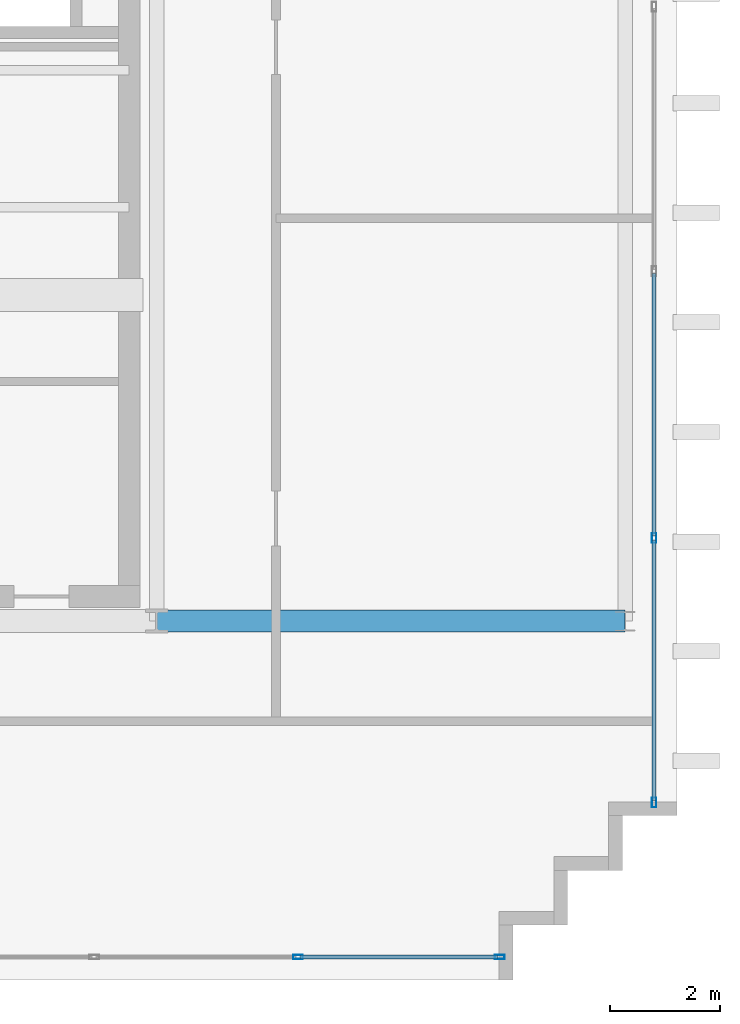
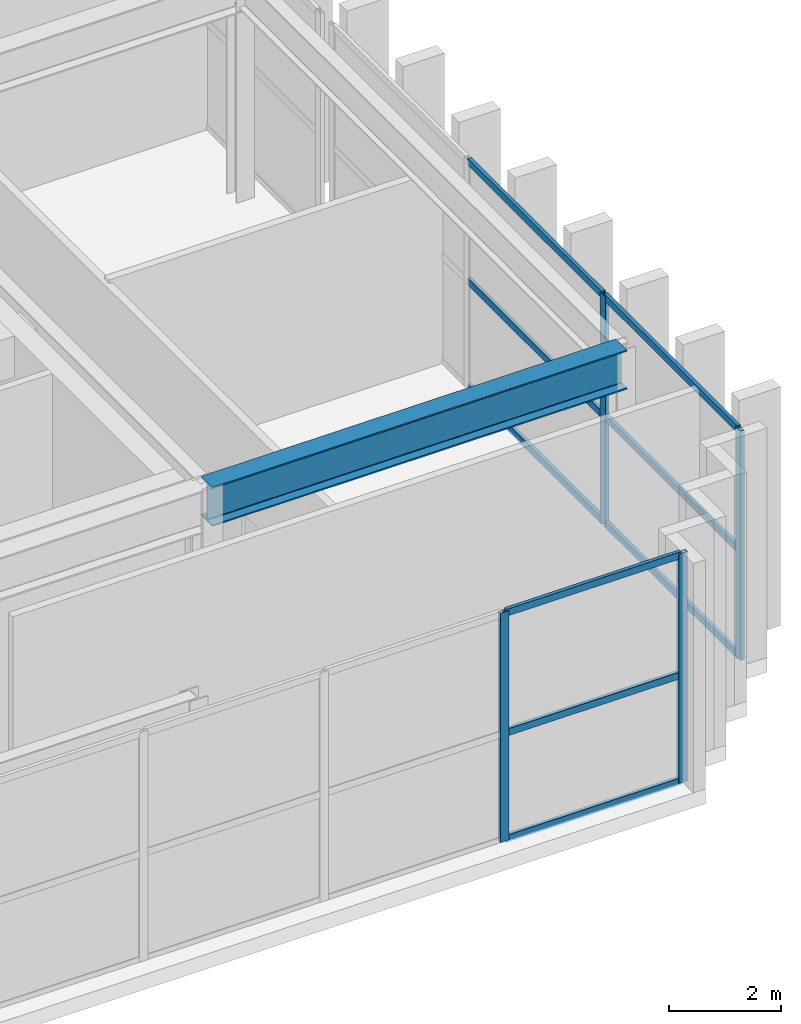
# One storey, part 4 of 14: 13 members, 1 beam, 2 elements without a shape of their own.
"""IFC4 building model written with IfcOpenShell, lengths in metres."""

from ifc_helpers import new_model, si_unit, direction, frame, origin, origin_2d, place, context, subcontext, project, spatial, hollow_rectangle, i_section, extrude, source, transform, mapped, material, layer, layer_set, material_profile, profile_set, type_object, element, aggregate, save


model = new_model("IFC4")

# Units and contexts
model_context = context("Model", 3, precision=1e-05, world=origin(), true_north=direction((0.0, 1.0)))
body_context = subcontext(model_context, "Body", "Model", "MODEL_VIEW")
ifc_project = project(units=[si_unit("LENGTHUNIT", "METRE"), si_unit("AREAUNIT", "SQUARE_METRE"), si_unit("VOLUMEUNIT", "CUBIC_METRE"), si_unit("PLANEANGLEUNIT", "RADIAN"), si_unit("MASSUNIT", "GRAM", prefix="KILO")], contexts=[model_context])

# Site, building, storey
site_placement = place(None, origin())
site = spatial("IfcSite", under=ifc_project, at=site_placement, CompositionType="ELEMENT")
building_placement = place(site_placement, origin())
building = spatial("IfcBuilding", under=site, at=building_placement, Name="Ocotamira Hotel", CompositionType="ELEMENT")
storey_placement = place(building_placement, frame((0.0, 0.0, 309.60009765625)))
storey = spatial("IfcBuildingStorey", under=building, at=storey_placement, Name="L79", CompositionType="ELEMENT", Elevation=309.60009765625)

# Beam
ifc_material_1 = material(Name="Steel ASTM A992 Grade 50", Category="steel")
ifc_material_profile_1 = material_profile(ifc_material_1, i_section(OverallWidth=0.39990234375, OverallDepth=0.85595703125, WebThickness=0.018310546875, FlangeThickness=0.029296875, FilletRadius=0.02001953125, at=origin_2d()), Name="W33X201")
ifc_profile_set_1 = profile_set([ifc_material_profile_1], Name="Steel ASTM A992 Grade 50")
beam_type = type_object("IfcBeamType", Name="BM-GIRD-W33X201", PredefinedType="BEAM", material=ifc_profile_set_1)
shared_shape_1 = source(origin(), body_context, "Body", "SweptSolid", [
    extrude(i_section(OverallWidth=0.39990234375, OverallDepth=0.85595703125, WebThickness=0.018310546875, FlangeThickness=0.029296875, FilletRadius=0.02001953125, at=origin_2d()), origin(), (0.0, 0.0, 1.0), 8.550048828125),
])
beam_placement = place(storey_placement, frame((23.5, 14.550048828125, 4.572021484375), z_axis=(1.0, 0.0, 0.0), x_axis=(0.0, 1.0, 0.0)))
element("IfcBeam", 1, at=beam_placement, inside=storey, type_object=beam_type, Name="L79 Girder Y14.55 X23.5-32.05", PredefinedType="BEAM", context=body_context, shape_type="MappedRepresentation", body=[
    mapped(shared_shape_1, transform((0.0, 0.0, 0.0), scale=1.0)),
])

# Curtain wall, members
ifc_material_2 = material(Name="Anodised pale-metal aluminium and solar glass", Category="aluminium")
ifc_layer = layer(ifc_material_2, 0.2099609375)
ifc_layer_set = layer_set([ifc_layer], Name="Anodised pale-metal aluminium and solar glass")
curtain_wall_type = type_object("IfcCurtainWallType", Name="CW-SYS7-PEAK", PredefinedType="NOTDEFINED", material=ifc_layer_set)
curtain_wall_1_placement = place(storey_placement, origin())
curtain_wall_1 = element("IfcCurtainWall", 2, at=curtain_wall_1_placement, inside=storey, type_object=curtain_wall_type, Name="L79 Curtain Wall CW-7 CW-L79-S1", PredefinedType="NOTDEFINED")
ifc_material_3 = material(Name="Anodised pale-metal aluminium 6063-T6", Category="aluminium")
ifc_material_profile_2 = material_profile(ifc_material_3, hollow_rectangle(XDim=0.074951171875, YDim=0.14990234375, WallThickness=0.006103515625, at=origin_2d()), Name="HSS150X75X6")
ifc_profile_set_2 = profile_set([ifc_material_profile_2], Name="Anodised pale-metal aluminium 6063-T6")
member_type_1 = type_object("IfcMemberType", Name="CWT-150X75", PredefinedType="USERDEFINED", material=ifc_profile_set_2)
shared_shape_2 = source(origin(), body_context, "Body", "SweptSolid", [
    extrude(hollow_rectangle(XDim=0.074951171875, YDim=0.14990234375, WallThickness=0.006103515625, at=origin_2d()), origin(), (0.0, 0.0, 1.0), 3.599853515625),
])
member_1_placement = place(storey_placement, frame((26.1201171875, 8.419921875, 0.037353515625), z_axis=(1.0, 0.0, 0.0), x_axis=(0.0, 1.0, 0.0)))
member_1 = element("IfcMember", 3, at=member_1_placement, type_object=member_type_1, Name="CW-7 transom 5.1", ObjectType="TRANSOM", PredefinedType="USERDEFINED", context=body_context, shape_type="MappedRepresentation", body=[
    mapped(shared_shape_2, transform((0.0, 0.0, 0.0), scale=1.0)),
])
member_2_placement = place(storey_placement, frame((26.1201171875, 8.419921875, 2.349853515625), z_axis=(1.0, 0.0, 0.0), x_axis=(0.0, 1.0, 0.0)))
member_2 = element("IfcMember", 4, at=member_2_placement, type_object=member_type_1, Name="CW-7 transom 5.2", ObjectType="TRANSOM", PredefinedType="USERDEFINED", context=body_context, shape_type="MappedRepresentation", body=[
    mapped(shared_shape_2, transform((0.0, 0.0, 0.0), scale=1.0)),
])
member_3_placement = place(storey_placement, frame((26.1201171875, 8.419921875, 4.96240234375), z_axis=(1.0, 0.0, 0.0), x_axis=(0.0, 1.0, 0.0)))
member_3 = element("IfcMember", 5, at=member_3_placement, type_object=member_type_1, Name="CW-7 transom 5.3", ObjectType="TRANSOM", PredefinedType="USERDEFINED", context=body_context, shape_type="MappedRepresentation", body=[
    mapped(shared_shape_2, transform((0.0, 0.0, 0.0), scale=1.0)),
])

curtain_wall_2_placement = place(storey_placement, origin())
curtain_wall_2 = element("IfcCurtainWall", 6, at=curtain_wall_2_placement, inside=storey, type_object=curtain_wall_type, Name="L79 Curtain Wall CW-7 CW-L79-E1", PredefinedType="NOTDEFINED")
shared_shape_3 = source(origin(), body_context, "Body", "SweptSolid", [
    extrude(hollow_rectangle(XDim=0.074951171875, YDim=0.14990234375, WallThickness=0.006103515625, at=origin_2d()), origin(), (0.0, 0.0, 1.0), 4.74658203125),
])
member_4_placement = place(storey_placement, frame((32.580078125, 11.280029296875, 0.037353515625), z_axis=(0.0, 1.0, 0.0), x_axis=(-1.0, 0.0, 0.0)))
member_4 = element("IfcMember", 7, at=member_4_placement, type_object=member_type_1, Name="CW-7 transom 1.1", ObjectType="TRANSOM", PredefinedType="USERDEFINED", context=body_context, shape_type="MappedRepresentation", body=[
    mapped(shared_shape_3, transform((0.0, 0.0, 0.0), scale=1.0)),
])
member_5_placement = place(storey_placement, frame((32.580078125, 11.280029296875, 2.349853515625), z_axis=(0.0, 1.0, 0.0), x_axis=(-1.0, 0.0, 0.0)))
member_5 = element("IfcMember", 8, at=member_5_placement, type_object=member_type_1, Name="CW-7 transom 1.2", ObjectType="TRANSOM", PredefinedType="USERDEFINED", context=body_context, shape_type="MappedRepresentation", body=[
    mapped(shared_shape_3, transform((0.0, 0.0, 0.0), scale=1.0)),
])
member_6_placement = place(storey_placement, frame((32.580078125, 11.280029296875, 4.96240234375), z_axis=(0.0, 1.0, 0.0), x_axis=(-1.0, 0.0, 0.0)))
member_6 = element("IfcMember", 9, at=member_6_placement, type_object=member_type_1, Name="CW-7 transom 1.3", ObjectType="TRANSOM", PredefinedType="USERDEFINED", context=body_context, shape_type="MappedRepresentation", body=[
    mapped(shared_shape_3, transform((0.0, 0.0, 0.0), scale=1.0)),
])
shared_shape_4 = source(origin(), body_context, "Body", "SweptSolid", [
    extrude(hollow_rectangle(XDim=0.074951171875, YDim=0.14990234375, WallThickness=0.006103515625, at=origin_2d()), origin(), (0.0, 0.0, 1.0), 4.78662109375),
])
member_7_placement = place(storey_placement, frame((32.580078125, 16.106689453125, 0.037353515625), z_axis=(0.0, 1.0, 0.0), x_axis=(-1.0, 0.0, 0.0)))
member_7 = element("IfcMember", 10, at=member_7_placement, type_object=member_type_1, Name="CW-7 transom 2.1", ObjectType="TRANSOM", PredefinedType="USERDEFINED", context=body_context, shape_type="MappedRepresentation", body=[
    mapped(shared_shape_4, transform((0.0, 0.0, 0.0), scale=1.0)),
])
member_8_placement = place(storey_placement, frame((32.580078125, 16.106689453125, 2.349853515625), z_axis=(0.0, 1.0, 0.0), x_axis=(-1.0, 0.0, 0.0)))
member_8 = element("IfcMember", 11, at=member_8_placement, type_object=member_type_1, Name="CW-7 transom 2.2", ObjectType="TRANSOM", PredefinedType="USERDEFINED", context=body_context, shape_type="MappedRepresentation", body=[
    mapped(shared_shape_4, transform((0.0, 0.0, 0.0), scale=1.0)),
])
member_9_placement = place(storey_placement, frame((32.580078125, 16.106689453125, 4.96240234375), z_axis=(0.0, 1.0, 0.0), x_axis=(-1.0, 0.0, 0.0)))
member_9 = element("IfcMember", 12, at=member_9_placement, type_object=member_type_1, Name="CW-7 transom 2.3", ObjectType="TRANSOM", PredefinedType="USERDEFINED", context=body_context, shape_type="MappedRepresentation", body=[
    mapped(shared_shape_4, transform((0.0, 0.0, 0.0), scale=1.0)),
])

# Member
ifc_material_profile_3 = material_profile(ifc_material_3, hollow_rectangle(XDim=0.080078125, YDim=0.179931640625, WallThickness=0.006103515625, at=origin_2d()), Name="HSS180X80X6")
ifc_profile_set_3 = profile_set([ifc_material_profile_3], Name="Anodised pale-metal aluminium 6063-T6")
member_type_2 = type_object("IfcMemberType", Name="CWM-180X75", PredefinedType="MULLION", material=ifc_profile_set_3)
shared_shape_5 = source(origin(), body_context, "Body", "SweptSolid", [
    extrude(hollow_rectangle(XDim=0.080078125, YDim=0.179931640625, WallThickness=0.006103515625, at=origin_2d()), origin(), (0.0, 0.0, 1.0), 5.0),
])
member_10_placement = place(storey_placement, frame((26.080078125, 8.419921875, 0.0), z_axis=(0.0, 0.0, 1.0), x_axis=(0.0, 1.0, 0.0)))
member_10 = element("IfcMember", 13, at=member_10_placement, type_object=member_type_2, Name="CW-7 mullion 5", PredefinedType="MULLION", context=body_context, shape_type="MappedRepresentation", body=[
    mapped(shared_shape_5, transform((0.0, 0.0, 0.0), scale=1.0)),
])

member_11_placement = place(storey_placement, frame((29.760009765625, 8.419921875, 0.0), z_axis=(0.0, 0.0, 1.0), x_axis=(0.0, 1.0, 0.0)))
member_11 = element("IfcMember", 14, at=member_11_placement, type_object=member_type_2, Name="CW-7 mullion 6", PredefinedType="MULLION", context=body_context, shape_type="MappedRepresentation", body=[
    mapped(shared_shape_5, transform((0.0, 0.0, 0.0), scale=1.0)),
])

aggregate(curtain_wall_1, [member_10, member_11, member_1, member_2, member_3])

member_12_placement = place(storey_placement, frame((32.580078125, 11.239990234375, 0.0), z_axis=(0.0, 0.0, 1.0), x_axis=(-1.0, 0.0, 0.0)))
member_12 = element("IfcMember", 15, at=member_12_placement, type_object=member_type_2, Name="CW-7 mullion 1", PredefinedType="MULLION", context=body_context, shape_type="MappedRepresentation", body=[
    mapped(shared_shape_5, transform((0.0, 0.0, 0.0), scale=1.0)),
])

member_13_placement = place(storey_placement, frame((32.580078125, 16.066650390625, 0.0), z_axis=(0.0, 0.0, 1.0), x_axis=(-1.0, 0.0, 0.0)))
member_13 = element("IfcMember", 16, at=member_13_placement, type_object=member_type_2, Name="CW-7 mullion 2", PredefinedType="MULLION", context=body_context, shape_type="MappedRepresentation", body=[
    mapped(shared_shape_5, transform((0.0, 0.0, 0.0), scale=1.0)),
])

aggregate(curtain_wall_2, [member_12, member_13, member_4, member_5, member_6, member_7, member_8, member_9])

save(model, "model.ifc")
